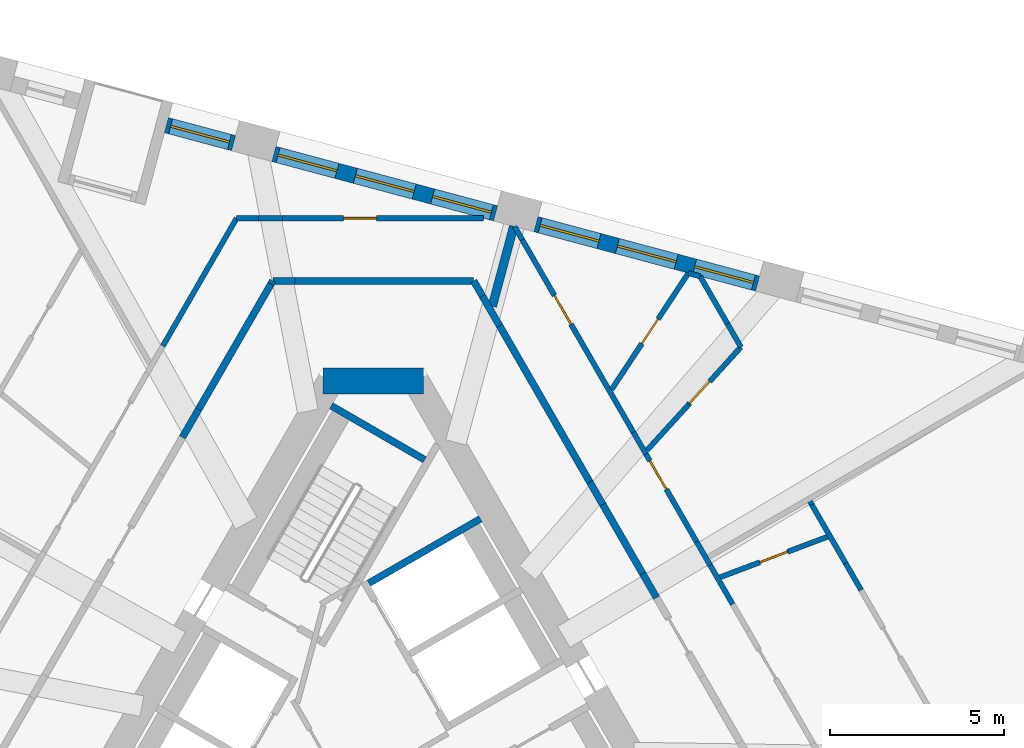
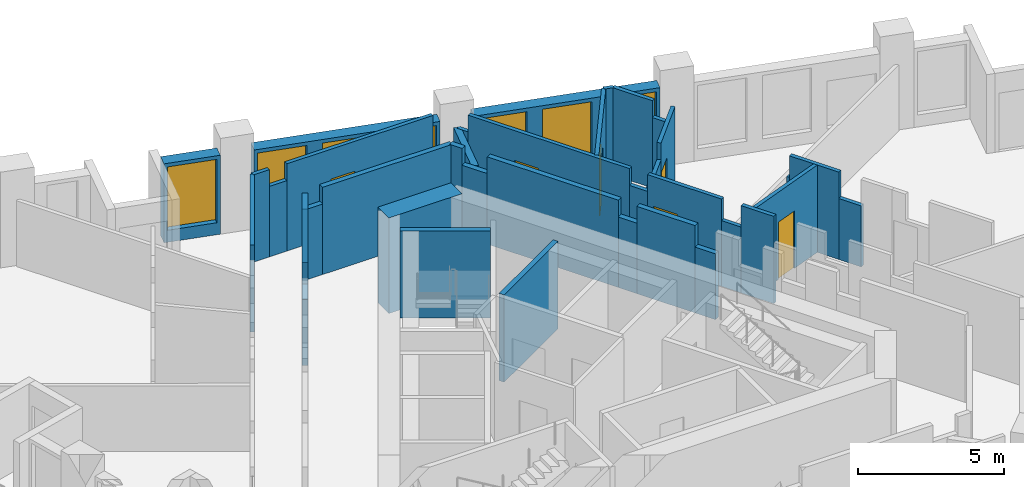
# One storey, part 8 of 13: 38 walls, 7 windows, 6 doors, 13 openings.
"""IFC4 building model written with IfcOpenShell, lengths in metres."""

from ifc_helpers import new_model, si_unit, direction, frame, frame_2d, origin, place, context, subcontext, project, spatial, rectangle, extrude, material, layer, layer_set, type_object, element, fill, save


model = new_model("IFC4")

# Units and contexts
model_context = context("Model", 3, precision=1e-05, world=origin(), true_north=direction((0.0, 1.0)))
body_context = subcontext(model_context, "Body", "Model", "MODEL_VIEW")
ifc_project = project(units=[si_unit("LENGTHUNIT", "METRE"), si_unit("AREAUNIT", "SQUARE_METRE"), si_unit("VOLUMEUNIT", "CUBIC_METRE"), si_unit("PLANEANGLEUNIT", "RADIAN"), si_unit("MASSUNIT", "GRAM", prefix="KILO")], contexts=[model_context])

# Site, building, storey
site_placement = place(None, origin())
site = spatial("IfcSite", under=ifc_project, at=site_placement, CompositionType="ELEMENT")
building_placement = place(site_placement, origin())
building = spatial("IfcBuilding", under=site, at=building_placement, Name="Tramontana Tower", CompositionType="ELEMENT")
storey_placement = place(building_placement, frame((0.0, 0.0, 200.0)))
storey = spatial("IfcBuildingStorey", under=building, at=storey_placement, Name="L46", CompositionType="ELEMENT", Elevation=200.0)

# Walls
ifc_material_1 = material(Name="Concrete 70 MPa", Category="concrete")
ifc_layer_1 = layer(ifc_material_1, 0.75)
ifc_layer_set_1 = layer_set([ifc_layer_1], Name="Core wall 750 70 MPa")
wall_type_1 = type_object("IfcWallType", Name="Core wall 750 70 MPa", PredefinedType="SHEAR", material=ifc_layer_set_1)
wall_1_placement = place(storey_placement, frame((1.443359375, 10.625, 0.0), z_axis=(0.0, 0.0, 1.0), x_axis=(-1.0, 0.0, 0.0)))
element("IfcWall", 1, at=wall_1_placement, inside=storey, type_object=wall_type_1, Name="Core wall C0 L46", PredefinedType="SHEAR", context=body_context, shape_type="SweptSolid", body=[
    extrude(rectangle(XDim=2.88671875, YDim=0.75, at=frame_2d((1.443359375, 0.0))), origin(), (0.0, 0.0, 1.0), 4.0),
])
ifc_material_2 = material(Name="Blockwork", Category="masonry")
ifc_layer_2 = layer(ifc_material_2, 0.199951171875)
ifc_layer_set_2 = layer_set([ifc_layer_2], Name="ENTRY WALL 200")
wall_type_2 = type_object("IfcWallType", Name="ENTRY WALL 200", PredefinedType="SOLIDWALL", material=ifc_layer_set_2)
wall_2_placement = place(storey_placement, frame((2.88671875, 13.5, 0.0), z_axis=(0.0, 0.0, 1.0), x_axis=(0.500002592159, -0.866023907196, 0.0)))
element("IfcWall", 2, at=wall_2_placement, inside=storey, type_object=wall_type_2, Name="Wall v50-ew0-0", PredefinedType="SOLIDWALL", context=body_context, shape_type="SweptSolid", body=[
    extrude(rectangle(XDim=0.5029296875, YDim=0.199951171875, at=frame_2d((0.25146484375, 0.0))), origin(), (0.0, 0.0, 1.0), 3.64990234375),
])
wall_3_placement = place(storey_placement, frame((3.13818359375, 13.064453125, 0.0), z_axis=(0.0, 0.0, 1.0), x_axis=(0.500063959222, -0.865988473761, 0.0)))
element("IfcWall", 3, at=wall_3_placement, inside=storey, type_object=wall_type_2, Name="Wall v50-ew0-1", PredefinedType="SOLIDWALL", context=body_context, shape_type="SweptSolid", body=[
    extrude(rectangle(XDim=0.989990234375, YDim=0.199951171875, at=frame_2d((0.4951171875, 0.0))), origin(), (0.0, 0.0, 1.0), 2.949951171875),
])
wall_4_placement = place(storey_placement, frame((3.63330078125, 12.20703125, 0.0), z_axis=(0.0, 0.0, 1.0), x_axis=(0.499990271856, -0.866031020258, 0.0)))
element("IfcWall", 4, at=wall_4_placement, inside=storey, type_object=wall_type_2, Name="Wall v50-ew0-2", PredefinedType="SOLIDWALL", context=body_context, shape_type="SweptSolid", body=[
    extrude(rectangle(XDim=5.181640625, YDim=0.199951171875, at=frame_2d((2.5908203125, 0.0))), origin(), (0.0, 0.0, 1.0), 3.64990234375),
])
wall_5_placement = place(storey_placement, frame((6.22412109375, 7.719482421875, 0.0), z_axis=(0.0, 0.0, 1.0), x_axis=(0.499931655587, -0.866064858854, 0.0)))
element("IfcWall", 5, at=wall_5_placement, inside=storey, type_object=wall_type_2, Name="Wall v50-ew0-3", PredefinedType="SOLIDWALL", context=body_context, shape_type="SweptSolid", body=[
    extrude(rectangle(XDim=0.74072265625, YDim=0.199951171875, at=frame_2d((0.370361328125, 0.0))), origin(), (0.0, 0.0, 1.0), 2.949951171875),
])
wall_6_placement = place(storey_placement, frame((6.594482421875, 7.077880859375, 0.0), z_axis=(0.0, 0.0, 1.0), x_axis=(0.500013761451, -0.866017458461, 0.0)))
element("IfcWall", 6, at=wall_6_placement, inside=storey, type_object=wall_type_2, Name="Wall v50-ew0-4", PredefinedType="SOLIDWALL", context=body_context, shape_type="SweptSolid", body=[
    extrude(rectangle(XDim=2.29736328125, YDim=0.199951171875, at=frame_2d((1.148681640625, 0.0))), origin(), (0.0, 0.0, 1.0), 3.64990234375),
])
wall_7_placement = place(storey_placement, frame((7.7431640625, 5.08837890625, 0.0), z_axis=(0.0, 0.0, 1.0), x_axis=(0.500109828528, -0.865961984968, 0.0)))
element("IfcWall", 7, at=wall_7_placement, inside=storey, type_object=wall_type_2, Name="Wall v50-ew0-5", PredefinedType="SOLIDWALL", context=body_context, shape_type="SweptSolid", body=[
    extrude(rectangle(XDim=0.800048828125, YDim=0.199951171875, at=frame_2d((0.39990234375, 0.0))), origin(), (0.0, 0.0, 1.0), 2.75),
])
wall_8_placement = place(storey_placement, frame((-5.482666015625, 9.003662109375, 0.0), z_axis=(0.0, 0.0, 1.0), x_axis=(0.499971966783, 0.866041588165, 0.0)))
element("IfcWall", 8, at=wall_8_placement, inside=storey, type_object=wall_type_2, Name="Wall v50-ew4-11", PredefinedType="SOLIDWALL", context=body_context, shape_type="SweptSolid", body=[
    extrude(rectangle(XDim=0.931640625, YDim=0.199951171875, at=frame_2d((0.4658203125, 0.0))), origin(), (0.0, 0.0, 1.0), 2.75),
])
wall_9_placement = place(storey_placement, frame((-5.016845703125, 9.810546875, 0.0), z_axis=(0.0, 0.0, 1.0), x_axis=(0.499993700073, 0.866029041019, 0.0)))
element("IfcWall", 9, at=wall_9_placement, inside=storey, type_object=wall_type_2, Name="Wall v50-ew4-12", PredefinedType="SOLIDWALL", context=body_context, shape_type="SweptSolid", body=[
    extrude(rectangle(XDim=4.1552734375, YDim=0.199951171875, at=frame_2d((2.07763671875, 0.0))), origin(), (0.0, 0.0, 1.0), 3.64990234375),
])
wall_10_placement = place(storey_placement, frame((-2.939208984375, 13.4091796875, 0.0), z_axis=(0.0, 0.0, 1.0), x_axis=(0.500393920955, 0.865797853931, 0.0)))
element("IfcWall", 10, at=wall_10_placement, inside=storey, type_object=wall_type_2, Name="Wall v50-ew4-13", PredefinedType="SOLIDWALL", context=body_context, shape_type="SweptSolid", body=[
    extrude(rectangle(XDim=0.10498046875, YDim=0.199951171875, at=frame_2d((0.052490234375, 0.0))), origin(), (0.0, 0.0, 1.0), 2.949951171875),
])
wall_11_placement = place(storey_placement, frame((-2.88671875, 13.5, 0.0), z_axis=(0.0, 0.0, 1.0), x_axis=(1.0, 0.0, 0.0)))
element("IfcWall", 11, at=wall_11_placement, inside=storey, type_object=wall_type_2, Name="Wall v50-ew5-0", PredefinedType="SOLIDWALL", context=body_context, shape_type="SweptSolid", body=[
    extrude(rectangle(XDim=0.642822265625, YDim=0.199951171875, at=frame_2d((0.3212890625, 0.0))), origin(), (0.0, 0.0, 1.0), 2.949951171875),
])
wall_12_placement = place(storey_placement, frame((-2.243896484375, 13.5, 0.0), z_axis=(0.0, 0.0, 1.0), x_axis=(1.0, 0.0, 0.0)))
element("IfcWall", 12, at=wall_12_placement, inside=storey, type_object=wall_type_2, Name="Wall v50-ew5-1", PredefinedType="SOLIDWALL", context=body_context, shape_type="SweptSolid", body=[
    extrude(rectangle(XDim=5.130615234375, YDim=0.199951171875, at=frame_2d((2.5654296875, 0.0))), origin(), (0.0, 0.0, 1.0), 3.64990234375),
])

# Wall, openings, windows
ifc_material_3 = material(Name="Precast concrete 60 MPa", Category="concrete")
ifc_layer_3 = layer(ifc_material_3, 0.449951171875)
ifc_layer_set_3 = layer_set([ifc_layer_3], Name="Precast concrete 60 MPa, 450 mm")
wall_type_3 = type_object("IfcWallType", Name="EW1 Stone-faced precast wall 450", PredefinedType="SOLIDWALL", material=ifc_layer_set_3)
wall_13_placement = place(storey_placement, frame((11.044921875, 13.423828125, 0.0), z_axis=(0.0, 0.0, 1.0), x_axis=(-0.965933178973, 0.258791602952, 0.0)))
wall_13 = element("IfcWall", 13, at=wall_13_placement, inside=storey, type_object=wall_type_3, Name="External wall L46 face 2 bay 3", PredefinedType="SOLIDWALL", context=body_context, shape_type="SweptSolid", body=[
    extrude(rectangle(XDim=6.59423828125, YDim=0.449951171875, at=frame_2d((3.297119140625, 0.0))), origin(), (0.0, 0.0, 1.0), 3.300048828125),
])
opening_1_placement = place(wall_13_placement, frame((0.1240234375, 0.0, 0.5)))
opening_1 = element("IfcOpeningElement", 14, at=opening_1_placement, cuts=wall_13, Name="Opening M2", PredefinedType="OPENING", context=body_context, shape_type="SweptSolid", body=[
    extrude(rectangle(XDim=1.75, YDim=2.64990234375, at=frame_2d((0.875, 1.324951171875))), frame((0.0, 0.23486328125, 0.0), z_axis=(0.0, -1.0, 0.0), x_axis=(1.0, 0.0, 0.0)), (0.0, 0.0, 1.0), 0.469970703125),
])
opening_2_placement = place(wall_13_placement, frame((2.422119140625, 0.0, 0.5)))
opening_2 = element("IfcOpeningElement", 15, at=opening_2_placement, cuts=wall_13, Name="Opening M2", PredefinedType="OPENING", context=body_context, shape_type="SweptSolid", body=[
    extrude(rectangle(XDim=1.75, YDim=2.64990234375, at=frame_2d((0.875, 1.324951171875))), frame((0.0, 0.23486328125, 0.0), z_axis=(0.0, -1.0, 0.0), x_axis=(1.0, 0.0, 0.0)), (0.0, 0.0, 1.0), 0.469970703125),
])
opening_3_placement = place(wall_13_placement, frame((4.72021484375, 0.0, 0.5)))
opening_3 = element("IfcOpeningElement", 16, at=opening_3_placement, cuts=wall_13, Name="Opening M2", PredefinedType="OPENING", context=body_context, shape_type="SweptSolid", body=[
    extrude(rectangle(XDim=1.75, YDim=2.64990234375, at=frame_2d((0.875, 1.324951171875))), frame((0.0, 0.23486328125, 0.0), z_axis=(0.0, -1.0, 0.0), x_axis=(1.0, 0.0, 0.0)), (0.0, 0.0, 1.0), 0.469970703125),
])
ifc_material_4 = material(Name="Aluminum frame, double glazing unit", Category="aluminium")
window_type = type_object("IfcWindowType", Name="M2 Window 1.75 x 2.65", PartitioningType="SINGLE_PANEL", PredefinedType="WINDOW", material=ifc_material_4)
window_1_placement = place(opening_1_placement, origin())
window_1 = element("IfcWindow", 17, at=window_1_placement, inside=storey, type_object=window_type, Name="Window M2 L46 face 2 module 7", OverallHeight=2.64990234375, OverallWidth=1.75, PartitioningType="SINGLE_PANEL", PredefinedType="WINDOW", context=body_context, shape_type="SweptSolid", body=[
    extrude(rectangle(XDim=1.75, YDim=2.64990234375, at=frame_2d((0.875, 1.324951171875))), frame((0.0, 0.030029296875, 0.0), z_axis=(0.0, -1.0, 0.0), x_axis=(1.0, 0.0, 0.0)), (0.0, 0.0, 1.0), 0.06005859375),
])
fill(opening_1, window_1)
window_2_placement = place(opening_2_placement, origin())
window_2 = element("IfcWindow", 18, at=window_2_placement, inside=storey, type_object=window_type, Name="Window M2 L46 face 2 module 8", OverallHeight=2.64990234375, OverallWidth=1.75, PartitioningType="SINGLE_PANEL", PredefinedType="WINDOW", context=body_context, shape_type="SweptSolid", body=[
    extrude(rectangle(XDim=1.75, YDim=2.64990234375, at=frame_2d((0.875, 1.324951171875))), frame((0.0, 0.030029296875, 0.0), z_axis=(0.0, -1.0, 0.0), x_axis=(1.0, 0.0, 0.0)), (0.0, 0.0, 1.0), 0.06005859375),
])
fill(opening_2, window_2)
window_3_placement = place(opening_3_placement, origin())
window_3 = element("IfcWindow", 19, at=window_3_placement, inside=storey, type_object=window_type, Name="Window M2 L46 face 2 module 9", OverallHeight=2.64990234375, OverallWidth=1.75, PartitioningType="SINGLE_PANEL", PredefinedType="WINDOW", context=body_context, shape_type="SweptSolid", body=[
    extrude(rectangle(XDim=1.75, YDim=2.64990234375, at=frame_2d((0.875, 1.324951171875))), frame((0.0, 0.030029296875, 0.0), z_axis=(0.0, -1.0, 0.0), x_axis=(1.0, 0.0, 0.0)), (0.0, 0.0, 1.0), 0.06005859375),
])
fill(opening_3, window_3)

wall_14_placement = place(storey_placement, frame((3.516357421875, 15.441162109375, 0.0), z_axis=(0.0, 0.0, 1.0), x_axis=(-0.965933178973, 0.258791602952, 0.0)))
wall_14 = element("IfcWall", 20, at=wall_14_placement, inside=storey, type_object=wall_type_3, Name="External wall L46 face 2 bay 4", PredefinedType="SOLIDWALL", context=body_context, shape_type="SweptSolid", body=[
    extrude(rectangle(XDim=6.59423828125, YDim=0.449951171875, at=frame_2d((3.297119140625, 0.0))), origin(), (0.0, 0.0, 1.0), 3.300048828125),
])
opening_4_placement = place(wall_14_placement, frame((0.1240234375, 0.0, 0.5)))
opening_4 = element("IfcOpeningElement", 21, at=opening_4_placement, cuts=wall_14, Name="Opening M2", PredefinedType="OPENING", context=body_context, shape_type="SweptSolid", body=[
    extrude(rectangle(XDim=1.75, YDim=2.64990234375, at=frame_2d((0.875, 1.324951171875))), frame((0.0, 0.23486328125, 0.0), z_axis=(0.0, -1.0, 0.0), x_axis=(1.0, 0.0, 0.0)), (0.0, 0.0, 1.0), 0.469970703125),
])
opening_5_placement = place(wall_14_placement, frame((2.422119140625, 0.0, 0.5)))
opening_5 = element("IfcOpeningElement", 22, at=opening_5_placement, cuts=wall_14, Name="Opening M2", PredefinedType="OPENING", context=body_context, shape_type="SweptSolid", body=[
    extrude(rectangle(XDim=1.75, YDim=2.64990234375, at=frame_2d((0.875, 1.324951171875))), frame((0.0, 0.23486328125, 0.0), z_axis=(0.0, -1.0, 0.0), x_axis=(1.0, 0.0, 0.0)), (0.0, 0.0, 1.0), 0.469970703125),
])
opening_6_placement = place(wall_14_placement, frame((4.72021484375, 0.0, 0.5)))
opening_6 = element("IfcOpeningElement", 23, at=opening_6_placement, cuts=wall_14, Name="Opening M2", PredefinedType="OPENING", context=body_context, shape_type="SweptSolid", body=[
    extrude(rectangle(XDim=1.75, YDim=2.64990234375, at=frame_2d((0.875, 1.324951171875))), frame((0.0, 0.23486328125, 0.0), z_axis=(0.0, -1.0, 0.0), x_axis=(1.0, 0.0, 0.0)), (0.0, 0.0, 1.0), 0.469970703125),
])
window_4_placement = place(opening_4_placement, origin())
window_4 = element("IfcWindow", 24, at=window_4_placement, inside=storey, type_object=window_type, Name="Window M2 L46 face 2 module 10", OverallHeight=2.64990234375, OverallWidth=1.75, PartitioningType="SINGLE_PANEL", PredefinedType="WINDOW", context=body_context, shape_type="SweptSolid", body=[
    extrude(rectangle(XDim=1.75, YDim=2.64990234375, at=frame_2d((0.875, 1.324951171875))), frame((0.0, 0.030029296875, 0.0), z_axis=(0.0, -1.0, 0.0), x_axis=(1.0, 0.0, 0.0)), (0.0, 0.0, 1.0), 0.06005859375),
])
fill(opening_4, window_4)
window_5_placement = place(opening_5_placement, origin())
window_5 = element("IfcWindow", 25, at=window_5_placement, inside=storey, type_object=window_type, Name="Window M2 L46 face 2 module 11", OverallHeight=2.64990234375, OverallWidth=1.75, PartitioningType="SINGLE_PANEL", PredefinedType="WINDOW", context=body_context, shape_type="SweptSolid", body=[
    extrude(rectangle(XDim=1.75, YDim=2.64990234375, at=frame_2d((0.875, 1.324951171875))), frame((0.0, 0.030029296875, 0.0), z_axis=(0.0, -1.0, 0.0), x_axis=(1.0, 0.0, 0.0)), (0.0, 0.0, 1.0), 0.06005859375),
])
fill(opening_5, window_5)
window_6_placement = place(opening_6_placement, origin())
window_6 = element("IfcWindow", 26, at=window_6_placement, inside=storey, type_object=window_type, Name="Window M2 L46 face 2 module 12", OverallHeight=2.64990234375, OverallWidth=1.75, PartitioningType="SINGLE_PANEL", PredefinedType="WINDOW", context=body_context, shape_type="SweptSolid", body=[
    extrude(rectangle(XDim=1.75, YDim=2.64990234375, at=frame_2d((0.875, 1.324951171875))), frame((0.0, 0.030029296875, 0.0), z_axis=(0.0, -1.0, 0.0), x_axis=(1.0, 0.0, 0.0)), (0.0, 0.0, 1.0), 0.06005859375),
])
fill(opening_6, window_6)

# Wall, opening, window
wall_15_placement = place(storey_placement, frame((-4.012451171875, 17.458251953125, 0.0), z_axis=(0.0, 0.0, 1.0), x_axis=(-0.965899500874, 0.25891727291, 0.0)))
wall_15 = element("IfcWall", 27, at=wall_15_placement, inside=storey, type_object=wall_type_3, Name="External wall L46 face 2 bay 5", PredefinedType="SOLIDWALL", context=body_context, shape_type="SweptSolid", body=[
    extrude(rectangle(XDim=1.998046875, YDim=0.449951171875, at=frame_2d((0.9990234375, 0.0))), origin(), (0.0, 0.0, 1.0), 3.300048828125),
])
opening_7_placement = place(wall_15_placement, frame((0.1240234375, 0.0, 0.5)))
opening_7 = element("IfcOpeningElement", 28, at=opening_7_placement, cuts=wall_15, Name="Opening M2", PredefinedType="OPENING", context=body_context, shape_type="SweptSolid", body=[
    extrude(rectangle(XDim=1.75, YDim=2.64990234375, at=frame_2d((0.875, 1.324951171875))), frame((0.0, 0.23486328125, 0.0), z_axis=(0.0, -1.0, 0.0), x_axis=(1.0, 0.0, 0.0)), (0.0, 0.0, 1.0), 0.469970703125),
])
window_7_placement = place(opening_7_placement, origin())
window_7 = element("IfcWindow", 29, at=window_7_placement, inside=storey, type_object=window_type, Name="Window M2 L46 face 2 module 13", OverallHeight=2.64990234375, OverallWidth=1.75, PartitioningType="SINGLE_PANEL", PredefinedType="WINDOW", context=body_context, shape_type="SweptSolid", body=[
    extrude(rectangle(XDim=1.75, YDim=2.64990234375, at=frame_2d((0.875, 1.324951171875))), frame((0.0, 0.030029296875, 0.0), z_axis=(0.0, -1.0, 0.0), x_axis=(1.0, 0.0, 0.0)), (0.0, 0.0, 1.0), 0.06005859375),
])
fill(opening_7, window_7)

# Walls
ifc_material_5 = material(Name="Gypsum board partition")
ifc_layer_4 = layer(ifc_material_5, 0.14990234375)
ifc_layer_set_4 = layer_set([ifc_layer_4], Name="PARTITION 150")
wall_type_4 = type_object("IfcWallType", Name="PARTITION 150", PredefinedType="PARTITIONING", material=ifc_layer_set_4)
wall_16_placement = place(storey_placement, frame((-6.045654296875, 11.628662109375, 0.0), z_axis=(0.0, 0.0, 1.0), x_axis=(0.499991648869, 0.866030225258, 0.0)))
element("IfcWall", 30, at=wall_16_placement, inside=storey, type_object=wall_type_4, Name="Wall v50-pw00-11", PredefinedType="PARTITIONING", context=body_context, shape_type="SweptSolid", body=[
    extrude(rectangle(XDim=4.2392578125, YDim=0.14990234375, at=frame_2d((2.11962890625, 0.0))), origin(), (0.0, 0.0, 1.0), 3.64990234375),
])
wall_17_placement = place(storey_placement, frame((-3.926025390625, 15.300048828125, 0.0), z_axis=(0.0, 0.0, 1.0), x_axis=(1.0, 0.0, 0.0)))
element("IfcWall", 31, at=wall_17_placement, inside=storey, type_object=wall_type_4, Name="Wall v50-pw08-0", PredefinedType="PARTITIONING", context=body_context, shape_type="SweptSolid", body=[
    extrude(rectangle(XDim=0.635498046875, YDim=0.14990234375, at=frame_2d((0.31787109375, 0.0))), origin(), (0.0, 0.0, 1.0), 3.64990234375),
])
wall_18_placement = place(storey_placement, frame((-3.29052734375, 15.300048828125, 0.0), z_axis=(0.0, 0.0, 1.0), x_axis=(1.0, 0.0, 0.0)))
element("IfcWall", 32, at=wall_18_placement, inside=storey, type_object=wall_type_4, Name="Wall v50-pw08-1", PredefinedType="PARTITIONING", context=body_context, shape_type="SweptSolid", body=[
    extrude(rectangle(XDim=0.687255859375, YDim=0.14990234375, at=frame_2d((0.34375, 0.0))), origin(), (0.0, 0.0, 1.0), 2.949951171875),
])

# Wall, opening, door
wall_19_placement = place(storey_placement, frame((3.17333984375, 15.300048828125, 0.0), z_axis=(0.0, 0.0, 1.0), x_axis=(-1.0, 0.0, 0.0)))
wall_19 = element("IfcWall", 33, at=wall_19_placement, inside=storey, type_object=wall_type_4, Name="Wall v50-pw08-2", PredefinedType="PARTITIONING", context=body_context, shape_type="SweptSolid", body=[
    extrude(rectangle(XDim=5.776611328125, YDim=0.14990234375, at=frame_2d((2.88818359375, 0.0))), origin(), (0.0, 0.0, 1.0), 3.64990234375),
])
opening_8_placement = place(wall_19_placement, frame((3.07470703125, 0.0, 0.0)))
opening_8 = element("IfcOpeningElement", 34, at=opening_8_placement, cuts=wall_19, Name="Opening B5A-03", PredefinedType="OPENING", context=body_context, shape_type="SweptSolid", body=[
    extrude(rectangle(XDim=0.949951171875, YDim=2.39990234375, at=frame_2d((0.47509765625, 1.199951171875))), frame((0.0, 0.0849609375, 0.0), z_axis=(0.0, -1.0, 0.0), x_axis=(1.0, 0.0, 0.0)), (0.0, 0.0, 1.0), 0.169921875),
])
ifc_material_6 = material(Name="Painted timber", Category="wood")
door_type_1 = type_object("IfcDoorType", Name="DOOR ROOM 950", OperationType="SINGLE_SWING_LEFT", PredefinedType="DOOR", material=ifc_material_6)
door_1_placement = place(opening_8_placement, origin())
door_1 = element("IfcDoor", 35, at=door_1_placement, inside=storey, type_object=door_type_1, Name="Door B5A-03", OperationType="SINGLE_SWING_LEFT", OverallHeight=2.39990234375, OverallWidth=0.949951171875, PredefinedType="DOOR", context=body_context, shape_type="SweptSolid", body=[
    extrude(rectangle(XDim=0.949951171875, YDim=2.39990234375, at=frame_2d((0.47509765625, 1.199951171875))), frame((0.0, 0.02490234375, 0.0), z_axis=(0.0, -1.0, 0.0), x_axis=(1.0, 0.0, 0.0)), (0.0, 0.0, 1.0), 0.050048828125),
])
fill(opening_8, door_1)

# Wall
wall_20_placement = place(storey_placement, frame((4.063720703125, 15.0615234375, 0.0), z_axis=(0.0, 0.0, 1.0), x_axis=(0.499786622332, -0.866148562395, 0.0)))
element("IfcWall", 36, at=wall_20_placement, inside=storey, type_object=wall_type_4, Name="Wall v50-pw13-0", PredefinedType="PARTITIONING", context=body_context, shape_type="SweptSolid", body=[
    extrude(rectangle(XDim=0.439208984375, YDim=0.14990234375, at=frame_2d((0.2197265625, 0.0))), origin(), (0.0, 0.0, 1.0), 2.949951171875),
])

# Wall, opening, door
wall_21_placement = place(storey_placement, frame((4.283203125, 14.68115234375, 0.0), z_axis=(0.0, 0.0, 1.0), x_axis=(0.500010206181, -0.866019511163, 0.0)))
wall_21 = element("IfcWall", 37, at=wall_21_placement, inside=storey, type_object=wall_type_4, Name="Wall v50-pw13-1", PredefinedType="PARTITIONING", context=body_context, shape_type="SweptSolid", body=[
    extrude(rectangle(XDim=6.389404296875, YDim=0.14990234375, at=frame_2d((3.19482421875, 0.0))), origin(), (0.0, 0.0, 1.0), 3.64990234375),
])
opening_9_placement = place(wall_21_placement, frame((1.849365234375, 0.0, 0.0)))
opening_9 = element("IfcOpeningElement", 38, at=opening_9_placement, cuts=wall_21, Name="Opening B5A-14", PredefinedType="OPENING", context=body_context, shape_type="SweptSolid", body=[
    extrude(rectangle(XDim=0.949951171875, YDim=2.39990234375, at=frame_2d((0.47509765625, 1.199951171875))), frame((0.0, 0.0849609375, 0.0), z_axis=(0.0, -1.0, 0.0), x_axis=(1.0, 0.0, 0.0)), (0.0, 0.0, 1.0), 0.169921875),
])
door_2_placement = place(opening_9_placement, origin())
door_2 = element("IfcDoor", 39, at=door_2_placement, inside=storey, type_object=door_type_1, Name="Door B5A-14", OperationType="SINGLE_SWING_RIGHT", OverallHeight=2.39990234375, OverallWidth=0.949951171875, PredefinedType="DOOR", context=body_context, shape_type="SweptSolid", body=[
    extrude(rectangle(XDim=0.949951171875, YDim=2.39990234375, at=frame_2d((0.47509765625, 1.199951171875))), frame((0.0, 0.02490234375, 0.0), z_axis=(0.0, -1.0, 0.0), x_axis=(1.0, 0.0, 0.0)), (0.0, 0.0, 1.0), 0.050048828125),
])
fill(opening_9, door_2)

# Wall
wall_22_placement = place(storey_placement, frame((7.47802734375, 9.147705078125, 0.0), z_axis=(0.0, 0.0, 1.0), x_axis=(0.499998569178, -0.866026229868, 0.0)))
element("IfcWall", 40, at=wall_22_placement, inside=storey, type_object=wall_type_4, Name="Wall v50-pw13-2", PredefinedType="PARTITIONING", context=body_context, shape_type="SweptSolid", body=[
    extrude(rectangle(XDim=0.71435546875, YDim=0.14990234375, at=frame_2d((0.357177734375, 0.0))), origin(), (0.0, 0.0, 1.0), 2.949951171875),
])

# Wall, opening, door
wall_23_placement = place(storey_placement, frame((7.835205078125, 8.529052734375, 0.0), z_axis=(0.0, 0.0, 1.0), x_axis=(0.49998782916, -0.866032430508, 0.0)))
wall_23 = element("IfcWall", 41, at=wall_23_placement, inside=storey, type_object=wall_type_4, Name="Wall v50-pw13-3", PredefinedType="PARTITIONING", context=body_context, shape_type="SweptSolid", body=[
    extrude(rectangle(XDim=2.919921875, YDim=0.14990234375, at=frame_2d((1.4599609375, 0.0))), origin(), (0.0, 0.0, 1.0), 3.64990234375),
])
opening_10_placement = place(wall_23_placement, frame((0.227783203125, 0.0, 0.0)))
opening_10 = element("IfcOpeningElement", 42, at=opening_10_placement, cuts=wall_23, Name="Opening B5A-13", PredefinedType="OPENING", context=body_context, shape_type="SweptSolid", body=[
    extrude(rectangle(XDim=0.949951171875, YDim=2.39990234375, at=frame_2d((0.47509765625, 1.199951171875))), frame((0.0, 0.0849609375, 0.0), z_axis=(0.0, -1.0, 0.0), x_axis=(1.0, 0.0, 0.0)), (0.0, 0.0, 1.0), 0.169921875),
])
door_3_placement = place(opening_10_placement, origin())
door_3 = element("IfcDoor", 43, at=door_3_placement, inside=storey, type_object=door_type_1, Name="Door B5A-13", OperationType="SINGLE_SWING_LEFT", OverallHeight=2.39990234375, OverallWidth=0.949951171875, PredefinedType="DOOR", context=body_context, shape_type="SweptSolid", body=[
    extrude(rectangle(XDim=0.949951171875, YDim=2.39990234375, at=frame_2d((0.47509765625, 1.199951171875))), frame((0.0, 0.02490234375, 0.0), z_axis=(0.0, -1.0, 0.0), x_axis=(1.0, 0.0, 0.0)), (0.0, 0.0, 1.0), 0.050048828125),
])
fill(opening_10, door_3)

# Walls
wall_24_placement = place(storey_placement, frame((9.295166015625, 6.000244140625, 0.0), z_axis=(0.0, 0.0, 1.0), x_axis=(0.500204125617, -0.865907519724, 0.0)))
element("IfcWall", 44, at=wall_24_placement, inside=storey, type_object=wall_type_4, Name="Wall v50-pw13-4", PredefinedType="PARTITIONING", context=body_context, shape_type="SweptSolid", body=[
    extrude(rectangle(XDim=0.775146484375, YDim=0.14990234375, at=frame_2d((0.3876953125, 0.0))), origin(), (0.0, 0.0, 1.0), 2.75),
])
wall_25_placement = place(storey_placement, frame((9.682861328125, 5.3291015625, 0.0), z_axis=(0.0, 0.0, 1.0), x_axis=(0.499787711288, -0.866147934042, 0.0)))
element("IfcWall", 45, at=wall_25_placement, inside=storey, type_object=wall_type_4, Name="Wall v50-pw13-5", PredefinedType="PARTITIONING", context=body_context, shape_type="SweptSolid", body=[
    extrude(rectangle(XDim=1.29541015625, YDim=0.14990234375, at=frame_2d((0.647705078125, 0.0))), origin(), (0.0, 0.0, 1.0), 3.64990234375),
])

# Wall, opening, door
wall_26_placement = place(storey_placement, frame((9.056640625, 13.7236328125, 0.0), z_axis=(0.0, 0.0, 1.0), x_axis=(-0.550767438832, -0.834658749623, 0.0)))
wall_26 = element("IfcWall", 46, at=wall_26_placement, inside=storey, type_object=wall_type_4, Name="Wall v50-pw16", PredefinedType="PARTITIONING", context=body_context, shape_type="SweptSolid", body=[
    extrude(rectangle(XDim=4.003173828125, YDim=0.14990234375, at=frame_2d((2.00146484375, 0.0))), origin(), (0.0, 0.0, 1.0), 3.64990234375),
])
opening_11_placement = place(wall_26_placement, frame((1.57666015625, 0.0, 0.0)))
opening_11 = element("IfcOpeningElement", 47, at=opening_11_placement, cuts=wall_26, Name="Opening B5A-16", PredefinedType="OPENING", context=body_context, shape_type="SweptSolid", body=[
    extrude(rectangle(XDim=0.85009765625, YDim=2.39990234375, at=frame_2d((0.425048828125, 1.199951171875))), frame((0.0, 0.0849609375, 0.0), z_axis=(0.0, -1.0, 0.0), x_axis=(1.0, 0.0, 0.0)), (0.0, 0.0, 1.0), 0.169921875),
])
ifc_material_7 = material(Name="Painted timber", Category="wood")
door_type_2 = type_object("IfcDoorType", Name="DOOR BATH 850", OperationType="SINGLE_SWING_LEFT", PredefinedType="DOOR", material=ifc_material_7)
door_4_placement = place(opening_11_placement, origin())
door_4 = element("IfcDoor", 48, at=door_4_placement, inside=storey, type_object=door_type_2, Name="Door B5A-16", OperationType="SINGLE_SWING_RIGHT", OverallHeight=2.39990234375, OverallWidth=0.85009765625, PredefinedType="DOOR", context=body_context, shape_type="SweptSolid", body=[
    extrude(rectangle(XDim=0.85009765625, YDim=2.39990234375, at=frame_2d((0.425048828125, 1.199951171875))), frame((0.0, 0.02490234375, 0.0), z_axis=(0.0, -1.0, 0.0), x_axis=(1.0, 0.0, 0.0)), (0.0, 0.0, 1.0), 0.050048828125),
])
fill(opening_11, door_4)

# Walls
wall_27_placement = place(storey_placement, frame((9.056640625, 13.7236328125, 0.0), z_axis=(0.0, 0.0, 1.0), x_axis=(0.96594175785, -0.258759580387, 0.0)))
element("IfcWall", 49, at=wall_27_placement, inside=storey, type_object=wall_type_4, Name="Wall v50-pw18", PredefinedType="PARTITIONING", context=body_context, shape_type="SweptSolid", body=[
    extrude(rectangle(XDim=0.34619140625, YDim=0.14990234375, at=frame_2d((0.173095703125, 0.0))), origin(), (0.0, 0.0, 1.0), 3.64990234375),
])
wall_28_placement = place(storey_placement, frame((9.39111328125, 13.634033203125, 0.0), z_axis=(0.0, 0.0, 1.0), x_axis=(0.500048238042, -0.865997551747, 0.0)))
element("IfcWall", 50, at=wall_28_placement, inside=storey, type_object=wall_type_4, Name="Wall v50-pw20-0", PredefinedType="PARTITIONING", context=body_context, shape_type="SweptSolid", body=[
    extrude(rectangle(XDim=1.578369140625, YDim=0.14990234375, at=frame_2d((0.7890625, 0.0))), origin(), (0.0, 0.0, 1.0), 3.64990234375),
])
wall_29_placement = place(storey_placement, frame((10.180419921875, 12.26708984375, 0.0), z_axis=(0.0, 0.0, 1.0), x_axis=(0.499804398801, -0.866138304741, 0.0)))
element("IfcWall", 51, at=wall_29_placement, inside=storey, type_object=wall_type_4, Name="Wall v50-pw20-1", PredefinedType="PARTITIONING", context=body_context, shape_type="SweptSolid", body=[
    extrude(rectangle(XDim=0.773681640625, YDim=0.14990234375, at=frame_2d((0.38671875, 0.0))), origin(), (0.0, 0.0, 1.0), 2.949951171875),
])

# Wall, opening, door
wall_30_placement = place(storey_placement, frame((9.89892578125, 4.958740234375, 0.0), z_axis=(0.0, 0.0, 1.0), x_axis=(0.935727228965, 0.352724471752, 0.0)))
wall_30 = element("IfcWall", 52, at=wall_30_placement, inside=storey, type_object=wall_type_4, Name="Wall v50-pw22", PredefinedType="PARTITIONING", context=body_context, shape_type="SweptSolid", body=[
    extrude(rectangle(XDim=3.44140625, YDim=0.14990234375, at=frame_2d((1.720703125, 0.0))), origin(), (0.0, 0.0, 1.0), 3.64990234375),
])
opening_12_placement = place(wall_30_placement, frame((1.295654296875, 0.0, 0.0)))
opening_12 = element("IfcOpeningElement", 53, at=opening_12_placement, cuts=wall_30, Name="Opening B5A-21", PredefinedType="OPENING", context=body_context, shape_type="SweptSolid", body=[
    extrude(rectangle(XDim=0.85009765625, YDim=2.39990234375, at=frame_2d((0.425048828125, 1.199951171875))), frame((0.0, 0.0849609375, 0.0), z_axis=(0.0, -1.0, 0.0), x_axis=(1.0, 0.0, 0.0)), (0.0, 0.0, 1.0), 0.169921875),
])
door_5_placement = place(opening_12_placement, origin())
door_5 = element("IfcDoor", 54, at=door_5_placement, inside=storey, type_object=door_type_2, Name="Door B5A-21", OperationType="SINGLE_SWING_LEFT", OverallHeight=2.39990234375, OverallWidth=0.85009765625, PredefinedType="DOOR", context=body_context, shape_type="SweptSolid", body=[
    extrude(rectangle(XDim=0.85009765625, YDim=2.39990234375, at=frame_2d((0.425048828125, 1.199951171875))), frame((0.0, 0.02490234375, 0.0), z_axis=(0.0, -1.0, 0.0), x_axis=(1.0, 0.0, 0.0)), (0.0, 0.0, 1.0), 0.050048828125),
])
fill(opening_12, door_5)

wall_31_placement = place(storey_placement, frame((9.060302734375, 9.943359375, 0.0), z_axis=(0.0, 0.0, 1.0), x_axis=(0.673552274043, 0.739139590423, 0.0)))
wall_31 = element("IfcWall", 55, at=wall_31_placement, inside=storey, type_object=wall_type_4, Name="Wall v50-pw23-0", PredefinedType="PARTITIONING", context=body_context, shape_type="SweptSolid", body=[
    extrude(rectangle(XDim=2.237060546875, YDim=0.14990234375, at=frame_2d((1.11865234375, 0.0))), origin(), (0.0, 0.0, 1.0), 3.64990234375),
])
opening_13_placement = place(wall_31_placement, frame((0.05517578125, 0.0, 0.0)))
opening_13 = element("IfcOpeningElement", 56, at=opening_13_placement, cuts=wall_31, Name="Opening B5A-15", PredefinedType="OPENING", context=body_context, shape_type="SweptSolid", body=[
    extrude(rectangle(XDim=0.85009765625, YDim=2.39990234375, at=frame_2d((0.425048828125, 1.199951171875))), frame((0.0, 0.0849609375, 0.0), z_axis=(0.0, -1.0, 0.0), x_axis=(1.0, 0.0, 0.0)), (0.0, 0.0, 1.0), 0.169921875),
])
door_6_placement = place(opening_13_placement, origin())
door_6 = element("IfcDoor", 57, at=door_6_placement, inside=storey, type_object=door_type_2, Name="Door B5A-15", OperationType="SINGLE_SWING_LEFT", OverallHeight=2.39990234375, OverallWidth=0.85009765625, PredefinedType="DOOR", context=body_context, shape_type="SweptSolid", body=[
    extrude(rectangle(XDim=0.85009765625, YDim=2.39990234375, at=frame_2d((0.425048828125, 1.199951171875))), frame((0.0, 0.02490234375, 0.0), z_axis=(0.0, -1.0, 0.0), x_axis=(1.0, 0.0, 0.0)), (0.0, 0.0, 1.0), 0.050048828125),
])
fill(opening_13, door_6)

# Walls
wall_32_placement = place(storey_placement, frame((9.060302734375, 9.943359375, 0.0), z_axis=(0.0, 0.0, 1.0), x_axis=(-0.673506679072, -0.739181136966, 0.0)))
element("IfcWall", 58, at=wall_32_placement, inside=storey, type_object=wall_type_4, Name="Wall v50-pw23-1", PredefinedType="PARTITIONING", context=body_context, shape_type="SweptSolid", body=[
    extrude(rectangle(XDim=1.77685546875, YDim=0.14990234375, at=frame_2d((0.888427734375, 0.0))), origin(), (0.0, 0.0, 1.0), 2.949951171875),
])
wall_33_placement = place(storey_placement, frame((12.548828125, 7.164794921875, 0.0), z_axis=(0.0, 0.0, 1.0), x_axis=(0.501036270542, -0.865426285481, 0.0)))
element("IfcWall", 59, at=wall_33_placement, inside=storey, type_object=wall_type_4, Name="Wall v50-pw25-0", PredefinedType="PARTITIONING", context=body_context, shape_type="SweptSolid", body=[
    extrude(rectangle(XDim=0.107177734375, YDim=0.14990234375, at=frame_2d((0.0537109375, 0.0))), origin(), (0.0, 0.0, 1.0), 2.75),
])
wall_34_placement = place(storey_placement, frame((12.6025390625, 7.072021484375, 0.0), z_axis=(0.0, 0.0, 1.0), x_axis=(0.49995005938, -0.866054235095, 0.0)))
element("IfcWall", 60, at=wall_34_placement, inside=storey, type_object=wall_type_4, Name="Wall v50-pw25-1", PredefinedType="PARTITIONING", context=body_context, shape_type="SweptSolid", body=[
    extrude(rectangle(XDim=1.949951171875, YDim=0.14990234375, at=frame_2d((0.97509765625, 0.0))), origin(), (0.0, 0.0, 1.0), 3.64990234375),
])
wall_35_placement = place(storey_placement, frame((13.577392578125, 5.38330078125, 0.0), z_axis=(0.0, 0.0, 1.0), x_axis=(0.499920601425, -0.866071239721, 0.0)))
element("IfcWall", 61, at=wall_35_placement, inside=storey, type_object=wall_type_4, Name="Wall v50-pw25-2", PredefinedType="PARTITIONING", context=body_context, shape_type="SweptSolid", body=[
    extrude(rectangle(XDim=0.888916015625, YDim=0.14990234375, at=frame_2d((0.4443359375, 0.0))), origin(), (0.0, 0.0, 1.0), 2.550048828125),
])
ifc_material_8 = material(Name="Blockwork", Category="masonry")
ifc_layer_5 = layer(ifc_material_8, 0.25)
ifc_layer_set_5 = layer_set([ifc_layer_5], Name="PARTY WALL 250")
wall_type_5 = type_object("IfcWallType", Name="PARTY WALL 250", PredefinedType="SOLIDWALL", material=ifc_layer_set_5)
wall_36_placement = place(storey_placement, frame((4.03759765625, 15.068359375, 0.0), z_axis=(0.0, 0.0, 1.0), x_axis=(-0.258838766998, -0.965920541607, 0.0)))
element("IfcWall", 62, at=wall_36_placement, inside=storey, type_object=wall_type_5, Name="Wall v50-pw12-0", PredefinedType="SOLIDWALL", context=body_context, shape_type="SweptSolid", body=[
    extrude(rectangle(XDim=2.376953125, YDim=0.25, at=frame_2d((1.1884765625, 0.0))), origin(), (0.0, 0.0, 1.0), 2.949951171875),
])
ifc_material_9 = material(Name="Concrete 70 MPa", Category="concrete")
ifc_layer_6 = layer(ifc_material_9, 0.199951171875)
ifc_layer_set_6 = layer_set([ifc_layer_6], Name="Concrete 70 MPa, 200 mm")
wall_type_6 = type_object("IfcWallType", Name="RC STAIR AND SHAFT WALL 200", PredefinedType="SOLIDWALL", material=ifc_layer_set_6)
wall_37_placement = place(storey_placement, frame((1.478515625, 8.36083984375, 0.0), z_axis=(0.0, 0.0, 1.0), x_axis=(-0.86600983753, 0.500026960575, 0.0)))
element("IfcWall", 63, at=wall_37_placement, inside=storey, type_object=wall_type_6, Name="Wall st1-far", PredefinedType="SOLIDWALL", context=body_context, shape_type="SweptSolid", body=[
    extrude(rectangle(XDim=3.099853515625, YDim=0.199951171875, at=frame_2d((1.5498046875, 0.0))), origin(), (0.0, 0.0, 1.0), 3.64990234375),
])
wall_38_placement = place(storey_placement, frame((-0.123046875, 4.813232421875, 0.0), z_axis=(0.0, 0.0, 1.0), x_axis=(0.866000971088, 0.500042316284, 0.0)))
element("IfcWall", 64, at=wall_38_placement, inside=storey, type_object=wall_type_6, Name="Wall row2-side2", PredefinedType="SOLIDWALL", context=body_context, shape_type="SweptSolid", body=[
    extrude(rectangle(XDim=3.699951171875, YDim=0.199951171875, at=frame_2d((1.85009765625, 0.0))), origin(), (0.0, 0.0, 1.0), 3.64990234375),
])

save(model, "model.ifc")
